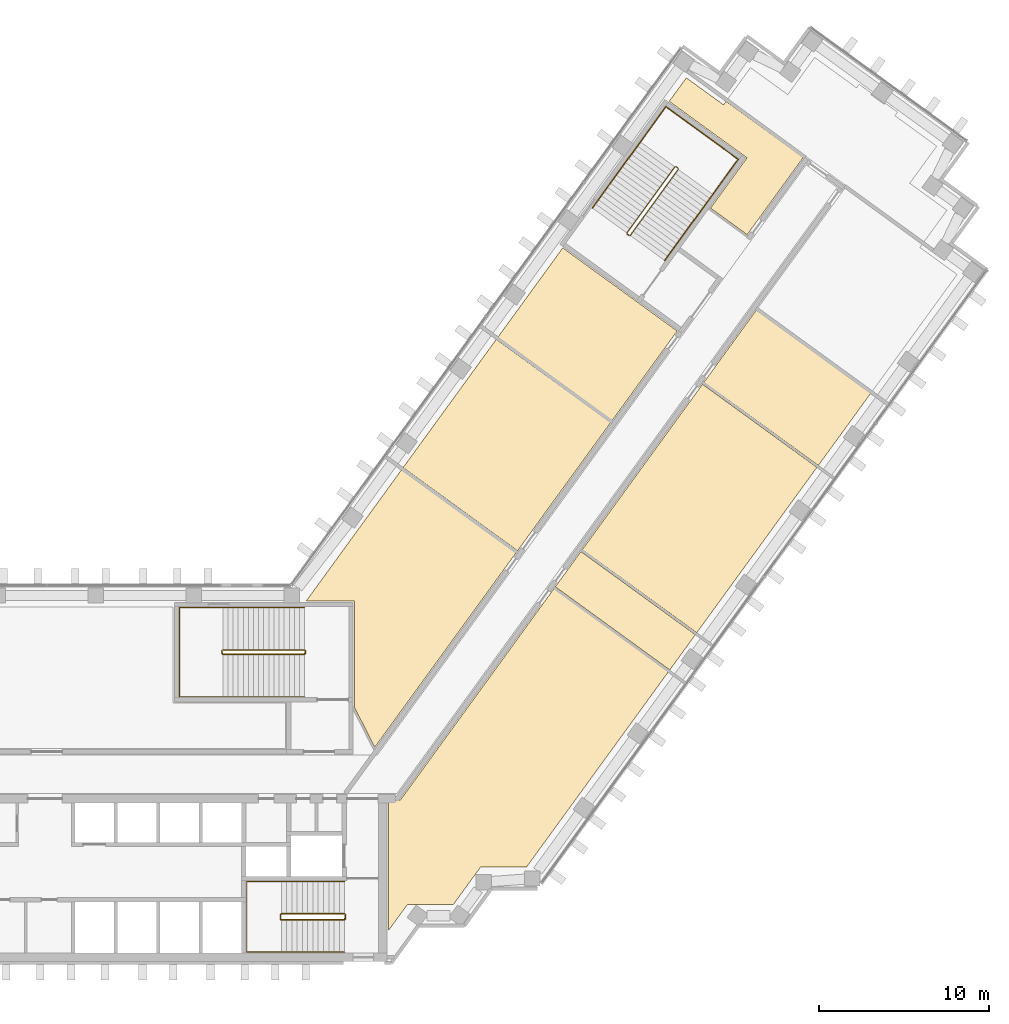
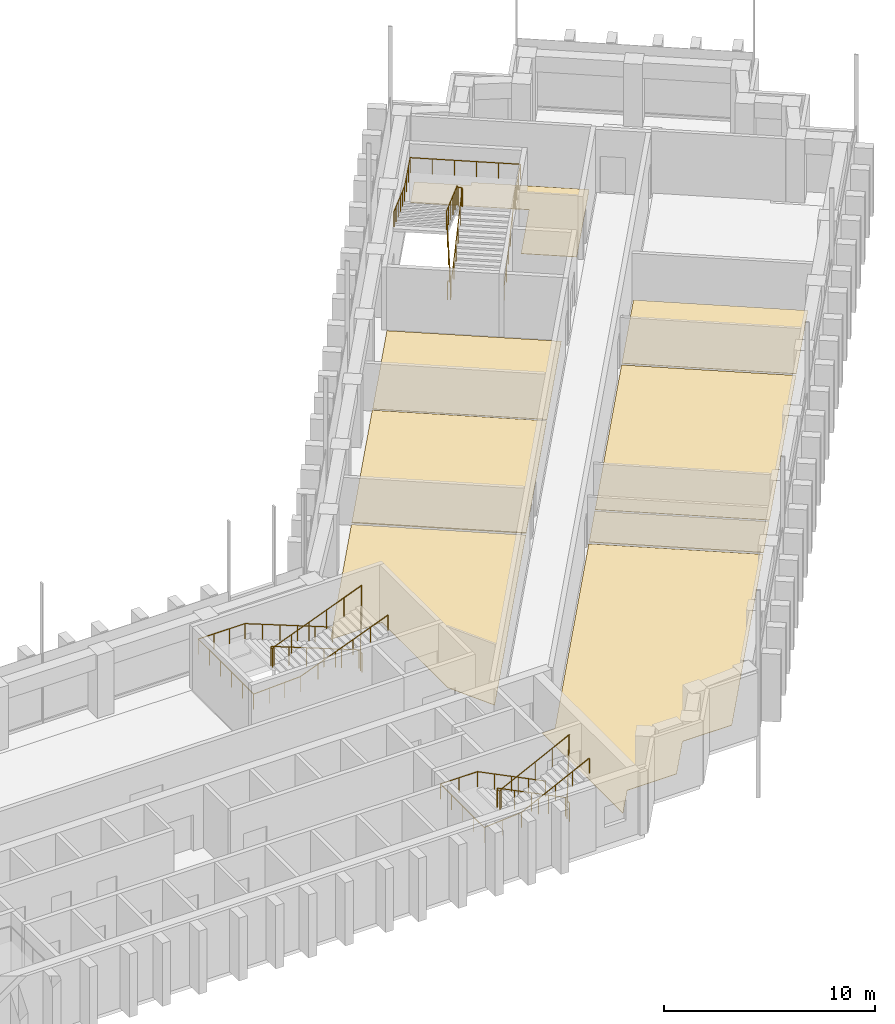
# One storey, part 18 of 19: 8 coverings, 6 railings.
"""IFC4 building model written with IfcOpenShell, lengths in metres."""

from ifc_helpers import new_model, si_unit, direction, frame, origin, origin_2d, place, context, subcontext, project, spatial, polyline, circle, outline, extrude, material, layer, layer_set, type_object, element, save


model = new_model("IFC4")

# Units and contexts
model_context = context("Model", 3, precision=1e-05, world=origin(), true_north=direction((0.0, 1.0)))
body_context = subcontext(model_context, "Body", "Model", "MODEL_VIEW")
ifc_project = project(units=[si_unit("LENGTHUNIT", "METRE"), si_unit("AREAUNIT", "SQUARE_METRE"), si_unit("VOLUMEUNIT", "CUBIC_METRE"), si_unit("PLANEANGLEUNIT", "RADIAN"), si_unit("MASSUNIT", "GRAM", prefix="KILO")], contexts=[model_context])

# Site, building, storey
site_placement = place(None, origin())
site = spatial("IfcSite", under=ifc_project, at=site_placement, CompositionType="ELEMENT")
building_placement = place(site_placement, origin())
building = spatial("IfcBuilding", under=site, at=building_placement, Name="Quipu Civic Tower", CompositionType="ELEMENT")
storey_placement = place(building_placement, frame((0.0, 0.0, 47.0)))
storey = spatial("IfcBuildingStorey", under=building, at=storey_placement, Name="L10", CompositionType="ELEMENT", Elevation=47.0)

# Coverings
ifc_material_1 = material(Name="Carpet tile on raised access floor")
ifc_layer_1 = layer(ifc_material_1, 0.02001953125)
ifc_layer_set_1 = layer_set([ifc_layer_1], Name="Carpet tile on raised access floor")
covering_type_1 = type_object("IfcCoveringType", Name="Carpet tile floor finish 20", PredefinedType="FLOORING", material=ifc_layer_set_1)
covering_1_placement = place(storey_placement, origin())
element("IfcCovering", 1, at=covering_1_placement, inside=storey, type_object=covering_type_1, Name="Carpet tile floor finish 20", PredefinedType="FLOORING", context=body_context, shape_type="SweptSolid", body=[
    extrude(outline(polyline([(15.238037109375, 10.169921875), (20.85498046875, 17.90087890625), (27.577880859375, 13.01708984375), (19.27197265625, 1.583984375), (18.070068359375, 3.94189453125), (18.070068359375, 10.1689453125), (15.238037109375, 10.169921875)])), origin(), (0.0, 0.0, 1.0), 0.02001953125),
])
covering_2_placement = place(storey_placement, origin())
element("IfcCovering", 2, at=covering_2_placement, inside=storey, type_object=covering_type_1, Name="Carpet tile floor finish 20", PredefinedType="FLOORING", context=body_context, shape_type="SweptSolid", body=[
    extrude(outline(polyline([(36.570068359375, 39.530029296875), (37.573974609375, 40.9130859375), (39.757080078125, 39.327880859375), (39.906005859375, 39.530029296875), (44.445068359375, 36.23193359375), (41.15087890625, 31.697021484375), (38.998046875, 33.260009765625), (41.139892578125, 36.208984375), (36.570068359375, 39.530029296875)])), origin(), (0.0, 0.0, 1.0), 0.02001953125),
])
covering_3_placement = place(storey_placement, origin())
element("IfcCovering", 3, at=covering_3_placement, inside=storey, type_object=covering_type_1, Name="Carpet tile floor finish 20", PredefinedType="FLOORING", context=body_context, shape_type="SweptSolid", body=[
    extrude(outline(polyline([(38.60791015625, 23.02490234375), (41.698974609375, 27.281005859375), (48.422119140625, 22.39697265625), (45.3310546875, 18.14111328125), (38.60791015625, 23.02490234375)])), origin(), (0.0, 0.0, 1.0), 0.02001953125),
])
covering_4_placement = place(storey_placement, origin())
element("IfcCovering", 4, at=covering_4_placement, inside=storey, type_object=covering_type_1, Name="Carpet tile floor finish 20", PredefinedType="FLOORING", context=body_context, shape_type="SweptSolid", body=[
    extrude(outline(polyline([(26.491943359375, 25.658935546875), (30.31494140625, 30.922119140625), (37.0380859375, 26.0380859375), (33.215087890625, 20.77490234375), (26.491943359375, 25.658935546875)])), origin(), (0.0, 0.0, 1.0), 0.02001953125),
])
covering_5_placement = place(storey_placement, origin())
element("IfcCovering", 5, at=covering_5_placement, inside=storey, type_object=covering_type_1, Name="Carpet tile floor finish 20", PredefinedType="FLOORING", context=body_context, shape_type="SweptSolid", body=[
    extrude(outline(polyline([(20.070068359375, -9.195068359375), (20.070068359375, -1.52001953125), (20.77490234375, -1.51904296875), (29.7958984375, 10.89794921875), (36.52001953125, 6.013916015625), (28.181884765625, -5.4609375), (25.48193359375, -5.4619140625), (25.2080078125, -5.840087890625), (25.205078125, -5.841064453125), (25.200927734375, -5.843017578125), (25.197021484375, -5.844970703125), (25.193115234375, -5.847900390625), (25.18896484375, -5.85205078125), (25.18603515625, -5.85498046875), (25.18310546875, -5.85888671875), (25.179931640625, -5.863037109375), (25.177978515625, -5.867919921875), (25.177001953125, -5.8720703125), (25.175048828125, -5.876953125), (25.175048828125, -5.882080078125), (25.174072265625, -5.885986328125), (23.89501953125, -7.64599609375), (21.721923828125, -7.64599609375), (21.721923828125, -7.64599609375), (21.718017578125, -7.64306640625), (21.712890625, -7.64111328125), (21.708984375, -7.638916015625), (21.7041015625, -7.637939453125), (21.698974609375, -7.636962890625), (21.694091796875, -7.635986328125), (21.68896484375, -7.636962890625), (21.68408203125, -7.636962890625), (21.679931640625, -7.637939453125), (21.675048828125, -7.639892578125), (21.669921875, -7.64111328125), (21.666015625, -7.64404296875), (21.6630859375, -7.64599609375), (21.196044921875, -7.64599609375), (20.070068359375, -9.195068359375)])), origin(), (0.0, 0.0, 1.0), 0.02001953125),
])
covering_6_placement = place(storey_placement, origin())
element("IfcCovering", 6, at=covering_6_placement, inside=storey, type_object=covering_type_1, Name="Carpet tile floor finish 20", PredefinedType="FLOORING", context=body_context, shape_type="SweptSolid", body=[
    extrude(outline(polyline([(31.466064453125, 13.195068359375), (38.52490234375, 22.912109375), (45.248046875, 18.028076171875), (38.18994140625, 8.31201171875), (31.466064453125, 13.195068359375)])), origin(), (0.0, 0.0, 1.0), 0.02001953125),
])
ifc_material_2 = material(Name="Ceramic floor tile")
ifc_layer_2 = layer(ifc_material_2, 0.030029296875)
ifc_layer_set_2 = layer_set([ifc_layer_2], Name="Ceramic floor tile")
covering_type_2 = type_object("IfcCoveringType", Name="Ceramic tile floor finish 30", PredefinedType="FLOORING", material=ifc_layer_set_2)
covering_7_placement = place(storey_placement, origin())
element("IfcCovering", 7, at=covering_7_placement, inside=storey, type_object=covering_type_2, Name="Ceramic tile floor finish 30", PredefinedType="FLOORING", context=body_context, shape_type="SweptSolid", body=[
    extrude(outline(polyline([(29.87890625, 11.010986328125), (31.383056640625, 13.08203125), (38.10693359375, 8.198974609375), (36.60302734375, 6.126953125), (29.87890625, 11.010986328125)])), origin(), (0.0, 0.0, 1.0), 0.030029296875),
])
ifc_material_3 = material(Name="Sealed cement screed")
ifc_layer_3 = layer(ifc_material_3, 0.050048828125)
ifc_layer_set_3 = layer_set([ifc_layer_3], Name="Sealed cement screed")
covering_type_3 = type_object("IfcCoveringType", Name="Sealed screed floor finish 50", PredefinedType="FLOORING", material=ifc_layer_set_3)
covering_8_placement = place(storey_placement, origin())
element("IfcCovering", 8, at=covering_8_placement, inside=storey, type_object=covering_type_3, Name="Sealed screed floor finish 50", PredefinedType="FLOORING", context=body_context, shape_type="SweptSolid", body=[
    extrude(outline(polyline([(20.93798828125, 18.013916015625), (26.408935546875, 25.5458984375), (33.132080078125, 20.662109375), (27.660888671875, 13.1298828125), (20.93798828125, 18.013916015625)])), origin(), (0.0, 0.0, 1.0), 0.050048828125),
])

# Railings
ifc_material_4 = material(Name="Stainless steel", Category="steel")
railing_type_1 = type_object("IfcRailingType", Name="Stair guard 1100", PredefinedType="GUARDRAIL", material=ifc_material_4)
railing_1_placement = place(storey_placement, frame((17.5, -8.199951171875, 0.15380859375)))
element("IfcRailing", 9, at=railing_1_placement, inside=storey, type_object=railing_type_1, Name="Stair 2 guard", PredefinedType="GUARDRAIL", context=body_context, shape_type="SweptSolid", body=[
    extrude(circle(Radius=0.02392578125, at=origin_2d()), frame((0.0, 0.0, 1.076171875), z_axis=(-0.895751851347, 0.0, 0.444554407028), x_axis=(0.0, -1.0, 0.0)), (0.0, 0.0, 1.0), 4.15283203125),
    extrude(circle(Radius=0.02392578125, at=origin_2d()), frame((-3.719970703125, 0.0, 2.92236328125), z_axis=(-0.707106781187, -0.707106781187, 0.0), x_axis=(0.707106781187, -0.707106781187, 0.0)), (0.0, 0.0, 1.0), 0.07080078125),
    extrude(circle(Radius=0.02392578125, at=origin_2d()), frame((-3.77001953125, -0.050048828125, 2.92236328125), z_axis=(0.0, -1.0, 0.0), x_axis=(1.0, 0.0, 0.0)), (0.0, 0.0, 1.0), 0.25),
    extrude(circle(Radius=0.02392578125, at=origin_2d()), frame((-3.77001953125, -0.300048828125, 2.92236328125), z_axis=(0.295599637079, -0.295599637079, 0.908428152975), x_axis=(0.707106781187, 0.707106781187, 0.0)), (0.0, 0.0, 1.0), 0.16943359375),
    extrude(circle(Radius=0.02392578125, at=origin_2d()), frame((-3.719970703125, -0.35009765625, 3.076171875), z_axis=(0.895751851347, 0.0, 0.444554407028), x_axis=(0.0, 1.0, 0.0)), (0.0, 0.0, 1.0), 4.15283203125),
    extrude(circle(Radius=0.02392578125, at=origin_2d()), frame((0.0, -0.35009765625, 4.92236328125), z_axis=(0.012476181752, 0.074796231092, -0.997120789425), x_axis=(-0.986372223864, 0.164529134168, 0.0)), (0.0, 0.0, 1.0), 4.011474609375),
    extrude(circle(Radius=0.02392578125, at=origin_2d()), frame((0.050048828125, -0.050048828125, 0.92236328125), z_axis=(0.0, -1.0, 0.0), x_axis=(1.0, 0.0, 0.0)), (0.0, 0.0, 1.0), 0.25),
    extrude(circle(Radius=0.02099609375, at=origin_2d()), origin(), (0.0, 0.0, 1.0), 1.052001953125),
    extrude(circle(Radius=0.02099609375, at=origin_2d()), frame((-0.929931640625, 0.0, 0.46142578125)), (0.0, 0.0, 1.0), 1.052001953125),
    extrude(circle(Radius=0.02099609375, at=origin_2d()), frame((-1.85986328125, 0.0, 0.923095703125)), (0.0, 0.0, 1.0), 1.052001953125),
    extrude(circle(Radius=0.02099609375, at=origin_2d()), frame((-2.7900390625, 0.0, 1.384765625)), (0.0, 0.0, 1.0), 1.052001953125),
    extrude(circle(Radius=0.02099609375, at=origin_2d()), frame((-3.719970703125, 0.0, 1.84619140625)), (0.0, 0.0, 1.0), 1.052001953125),
    extrude(circle(Radius=0.02099609375, at=origin_2d()), frame((-3.77001953125, -0.050048828125, 1.84619140625)), (0.0, 0.0, 1.0), 1.052001953125),
    extrude(circle(Radius=0.02099609375, at=origin_2d()), frame((-3.77001953125, -0.300048828125, 1.84619140625)), (0.0, 0.0, 1.0), 1.052001953125),
    extrude(circle(Radius=0.02099609375, at=origin_2d()), frame((-3.719970703125, -0.35009765625, 2.0)), (0.0, 0.0, 1.0), 1.052001953125),
    extrude(circle(Radius=0.02099609375, at=origin_2d()), frame((-2.7900390625, -0.35009765625, 2.46142578125)), (0.0, 0.0, 1.0), 1.052001953125),
    extrude(circle(Radius=0.02099609375, at=origin_2d()), frame((-1.85986328125, -0.35009765625, 2.923095703125)), (0.0, 0.0, 1.0), 1.052001953125),
    extrude(circle(Radius=0.02099609375, at=origin_2d()), frame((-0.929931640625, -0.35009765625, 3.384765625)), (0.0, 0.0, 1.0), 1.052001953125),
    extrude(circle(Radius=0.02099609375, at=origin_2d()), frame((0.0, -0.35009765625, 3.84619140625)), (0.0, 0.0, 1.0), 1.052001953125),
    extrude(circle(Radius=0.02099609375, at=origin_2d()), frame((0.012451171875, -0.275146484375, 2.84619140625)), (0.0, 0.0, 1.0), 1.052001953125),
    extrude(circle(Radius=0.02099609375, at=origin_2d()), frame((0.02490234375, -0.2001953125, 1.84619140625)), (0.0, 0.0, 1.0), 1.052001953125),
    extrude(circle(Radius=0.02099609375, at=origin_2d()), frame((0.03759765625, -0.125, 0.84619140625)), (0.0, 0.0, 1.0), 1.052001953125),
    extrude(circle(Radius=0.02099609375, at=origin_2d()), frame((0.050048828125, -0.050048828125, -0.15380859375)), (0.0, 0.0, 1.0), 1.052001953125),
    extrude(circle(Radius=0.02099609375, at=origin_2d()), frame((0.050048828125, -0.300048828125, -0.15380859375)), (0.0, 0.0, 1.0), 1.052001953125),
])
railing_2_placement = place(storey_placement, frame((15.14990234375, 7.300048828125, 0.11767578125)))
element("IfcRailing", 10, at=railing_2_placement, inside=storey, type_object=railing_type_1, Name="Stair 4 guard", PredefinedType="GUARDRAIL", context=body_context, shape_type="SweptSolid", body=[
    extrude(circle(Radius=0.02392578125, at=origin_2d()), frame((0.0, 0.0, 1.076171875), z_axis=(-0.930970042603, 0.0, 0.365095576219), x_axis=(0.0, -1.0, 0.0)), (0.0, 0.0, 1.0), 5.15576171875),
    extrude(circle(Radius=0.02392578125, at=origin_2d()), frame((-4.7998046875, 0.0, 2.95849609375), z_axis=(-0.707106781187, -0.707106781187, 0.0), x_axis=(0.707106781187, -0.707106781187, 0.0)), (0.0, 0.0, 1.0), 0.07080078125),
    extrude(circle(Radius=0.02392578125, at=origin_2d()), frame((-4.849853515625, -0.050048828125, 2.95849609375), z_axis=(0.0, -1.0, 0.0), x_axis=(1.0, 0.0, 0.0)), (0.0, 0.0, 1.0), 0.14990234375),
    extrude(circle(Radius=0.02392578125, at=origin_2d()), frame((-4.849853515625, -0.199951171875, 2.95849609375), z_axis=(0.364463019033, -0.364463019033, 0.856932561824), x_axis=(0.707106781187, 0.707106781187, 0.0)), (0.0, 0.0, 1.0), 0.13720703125),
    extrude(circle(Radius=0.02392578125, at=origin_2d()), frame((-4.7998046875, -0.25, 3.076171875), z_axis=(0.930970042603, 0.0, 0.365095576219), x_axis=(0.0, 1.0, 0.0)), (0.0, 0.0, 1.0), 5.15576171875),
    extrude(circle(Radius=0.02392578125, at=origin_2d()), frame((0.0, -0.25, 4.95849609375), z_axis=(0.012495627992, 0.049921557685, -0.998674970829), x_axis=(-0.970072785993, 0.242814311512, 0.0)), (0.0, 0.0, 1.0), 4.00537109375),
    extrude(circle(Radius=0.02392578125, at=origin_2d()), frame((0.050048828125, -0.050048828125, 0.95849609375), z_axis=(0.0, -1.0, 0.0), x_axis=(1.0, 0.0, 0.0)), (0.0, 0.0, 1.0), 0.14990234375),
    extrude(circle(Radius=0.02099609375, at=origin_2d()), origin(), (0.0, 0.0, 1.0), 1.052001953125),
    extrude(circle(Radius=0.02099609375, at=origin_2d()), frame((-0.9599609375, 0.0, 0.37646484375)), (0.0, 0.0, 1.0), 1.052001953125),
    extrude(circle(Radius=0.02099609375, at=origin_2d()), frame((-1.919921875, 0.0, 0.7529296875)), (0.0, 0.0, 1.0), 1.052001953125),
    extrude(circle(Radius=0.02099609375, at=origin_2d()), frame((-2.8798828125, 0.0, 1.12939453125)), (0.0, 0.0, 1.0), 1.052001953125),
    extrude(circle(Radius=0.02099609375, at=origin_2d()), frame((-3.83984375, 0.0, 1.505859375)), (0.0, 0.0, 1.0), 1.052001953125),
    extrude(circle(Radius=0.02099609375, at=origin_2d()), frame((-4.7998046875, 0.0, 1.88232421875)), (0.0, 0.0, 1.0), 1.052001953125),
    extrude(circle(Radius=0.02099609375, at=origin_2d()), frame((-4.849853515625, -0.050048828125, 1.88232421875)), (0.0, 0.0, 1.0), 1.052001953125),
    extrude(circle(Radius=0.02099609375, at=origin_2d()), frame((-4.849853515625, -0.199951171875, 1.88232421875)), (0.0, 0.0, 1.0), 1.052001953125),
    extrude(circle(Radius=0.02099609375, at=origin_2d()), frame((-4.7998046875, -0.25, 2.0)), (0.0, 0.0, 1.0), 1.052001953125),
    extrude(circle(Radius=0.02099609375, at=origin_2d()), frame((-3.83984375, -0.25, 2.37646484375)), (0.0, 0.0, 1.0), 1.052001953125),
    extrude(circle(Radius=0.02099609375, at=origin_2d()), frame((-2.8798828125, -0.25, 2.7529296875)), (0.0, 0.0, 1.0), 1.052001953125),
    extrude(circle(Radius=0.02099609375, at=origin_2d()), frame((-1.919921875, -0.25, 3.12939453125)), (0.0, 0.0, 1.0), 1.052001953125),
    extrude(circle(Radius=0.02099609375, at=origin_2d()), frame((-0.9599609375, -0.25, 3.505859375)), (0.0, 0.0, 1.0), 1.052001953125),
    extrude(circle(Radius=0.02099609375, at=origin_2d()), frame((0.0, -0.25, 3.88232421875)), (0.0, 0.0, 1.0), 1.052001953125),
    extrude(circle(Radius=0.02099609375, at=origin_2d()), frame((0.012451171875, -0.199951171875, 2.88232421875)), (0.0, 0.0, 1.0), 1.052001953125),
    extrude(circle(Radius=0.02099609375, at=origin_2d()), frame((0.02490234375, -0.14990234375, 1.88232421875)), (0.0, 0.0, 1.0), 1.052001953125),
    extrude(circle(Radius=0.02099609375, at=origin_2d()), frame((0.03759765625, -0.10009765625, 0.88232421875)), (0.0, 0.0, 1.0), 1.052001953125),
    extrude(circle(Radius=0.02099609375, at=origin_2d()), frame((0.050048828125, -0.050048828125, -0.11767578125)), (0.0, 0.0, 1.0), 1.052001953125),
    extrude(circle(Radius=0.02099609375, at=origin_2d()), frame((0.050048828125, -0.199951171875, -0.11767578125)), (0.0, 0.0, 1.0), 1.052001953125),
])
railing_3_placement = place(storey_placement, frame((34.28125, 31.650390625, 0.11767578125)))
element("IfcRailing", 11, at=railing_3_placement, inside=storey, type_object=railing_type_1, Name="Stair 7 guard", PredefinedType="GUARDRAIL", context=body_context, shape_type="SweptSolid", body=[
    extrude(circle(Radius=0.02392578125, at=origin_2d()), frame((0.0, 0.0, 1.076171875), z_axis=(0.54720100349, 0.753182689643, 0.365084781664), x_axis=(-0.809026317077, 0.587772420479, 0.0)), (0.0, 0.0, 1.0), 5.15576171875),
    extrude(circle(Radius=0.02392578125, at=origin_2d()), frame((2.8212890625, 3.88330078125, 2.95849609375), z_axis=(-0.155430446612, 0.987846838465, 0.0), x_axis=(-0.987846838465, -0.155430446612, 0.0)), (0.0, 0.0, 1.0), 0.07080078125),
    extrude(circle(Radius=0.02392578125, at=origin_2d()), frame((2.810302734375, 3.953125, 2.95849609375), z_axis=(-0.809649071907, 0.586914287065, 0.0), x_axis=(-0.586914287065, -0.809649071907, 0.0)), (0.0, 0.0, 1.0), 0.150146484375),
    extrude(circle(Radius=0.02392578125, at=origin_2d()), frame((2.688720703125, 4.041259765625, 2.95849609375), z_axis=(-0.508654480474, -0.080033047627, 0.857242865693), x_axis=(0.155430446612, -0.987846838465, 0.0)), (0.0, 0.0, 1.0), 0.13720703125),
    extrude(circle(Radius=0.02392578125, at=origin_2d()), frame((2.618896484375, 4.0302734375, 3.076171875), z_axis=(-0.54720100349, -0.753182689643, 0.365084781664), x_axis=(0.809026317077, -0.587772420479, 0.0)), (0.0, 0.0, 1.0), 5.15576171875),
    extrude(circle(Radius=0.02392578125, at=origin_2d()), frame((-0.202392578125, 0.14697265625, 4.95849609375), z_axis=(0.033037246672, -0.039437451286, -0.998675737048), x_axis=(0.766567769536, 0.642163417448, 0.0)), (0.0, 0.0, 1.0), 4.00537109375),
    extrude(circle(Radius=0.02392578125, at=origin_2d()), frame((-0.070068359375, -0.010986328125, 0.95849609375), z_axis=(-0.809087927272, 0.587687609145, 0.0), x_axis=(-0.587687609145, -0.809087927272, 0.0)), (0.0, 0.0, 1.0), 0.14990234375),
    extrude(circle(Radius=0.02099609375, at=origin_2d()), origin(), (0.0, 0.0, 1.0), 1.052001953125),
    extrude(circle(Radius=0.02099609375, at=origin_2d()), frame((0.564208984375, 0.776611328125, 0.37646484375)), (0.0, 0.0, 1.0), 1.052001953125),
    extrude(circle(Radius=0.02099609375, at=origin_2d()), frame((1.12841796875, 1.55322265625, 0.7529296875)), (0.0, 0.0, 1.0), 1.052001953125),
    extrude(circle(Radius=0.02099609375, at=origin_2d()), frame((1.69287109375, 2.330078125, 1.12939453125)), (0.0, 0.0, 1.0), 1.052001953125),
    extrude(circle(Radius=0.02099609375, at=origin_2d()), frame((2.257080078125, 3.106689453125, 1.505859375)), (0.0, 0.0, 1.0), 1.052001953125),
    extrude(circle(Radius=0.02099609375, at=origin_2d()), frame((2.8212890625, 3.88330078125, 1.88232421875)), (0.0, 0.0, 1.0), 1.052001953125),
    extrude(circle(Radius=0.02099609375, at=origin_2d()), frame((2.810302734375, 3.953125, 1.88232421875)), (0.0, 0.0, 1.0), 1.052001953125),
    extrude(circle(Radius=0.02099609375, at=origin_2d()), frame((2.688720703125, 4.041259765625, 1.88232421875)), (0.0, 0.0, 1.0), 1.052001953125),
    extrude(circle(Radius=0.02099609375, at=origin_2d()), frame((2.618896484375, 4.0302734375, 2.0)), (0.0, 0.0, 1.0), 1.052001953125),
    extrude(circle(Radius=0.02099609375, at=origin_2d()), frame((2.0546875, 3.253662109375, 2.37646484375)), (0.0, 0.0, 1.0), 1.052001953125),
    extrude(circle(Radius=0.02099609375, at=origin_2d()), frame((1.490478515625, 2.47705078125, 2.7529296875)), (0.0, 0.0, 1.0), 1.052001953125),
    extrude(circle(Radius=0.02099609375, at=origin_2d()), frame((0.926025390625, 1.7001953125, 3.12939453125)), (0.0, 0.0, 1.0), 1.052001953125),
    extrude(circle(Radius=0.02099609375, at=origin_2d()), frame((0.36181640625, 0.923583984375, 3.505859375)), (0.0, 0.0, 1.0), 1.052001953125),
    extrude(circle(Radius=0.02099609375, at=origin_2d()), frame((-0.202392578125, 0.14697265625, 3.88232421875)), (0.0, 0.0, 1.0), 1.052001953125),
    extrude(circle(Radius=0.02099609375, at=origin_2d()), frame((-0.16943359375, 0.107421875, 2.88232421875)), (0.0, 0.0, 1.0), 1.052001953125),
    extrude(circle(Radius=0.02099609375, at=origin_2d()), frame((-0.13623046875, 0.06787109375, 1.88232421875)), (0.0, 0.0, 1.0), 1.052001953125),
    extrude(circle(Radius=0.02099609375, at=origin_2d()), frame((-0.10302734375, 0.028564453125, 0.88232421875)), (0.0, 0.0, 1.0), 1.052001953125),
    extrude(circle(Radius=0.02099609375, at=origin_2d()), frame((-0.070068359375, -0.010986328125, -0.11767578125)), (0.0, 0.0, 1.0), 1.052001953125),
    extrude(circle(Radius=0.02099609375, at=origin_2d()), frame((-0.19140625, 0.0771484375, -0.11767578125)), (0.0, 0.0, 1.0), 1.052001953125),
])
ifc_material_5 = material(Name="Stainless steel", Category="steel")
railing_type_2 = type_object("IfcRailingType", Name="Stair handrail", PredefinedType="HANDRAIL", material=ifc_material_5)
railing_4_placement = place(storey_placement, frame((17.5, -6.300048828125, 0.15380859375)))
element("IfcRailing", 12, at=railing_4_placement, inside=storey, type_object=railing_type_2, Name="Stair 2 handrail", PredefinedType="HANDRAIL", context=body_context, shape_type="SweptSolid", body=[
    extrude(circle(Radius=0.02392578125, at=origin_2d()), frame((0.0, 0.0, 0.8759765625), z_axis=(-0.895751851347, 0.0, 0.444554407028), x_axis=(0.0, -1.0, 0.0)), (0.0, 0.0, 1.0), 4.15283203125),
    extrude(circle(Radius=0.02392578125, at=origin_2d()), frame((-3.719970703125, 0.0, 2.72216796875), z_axis=(-1.0, 0.0, 0.0), x_axis=(0.0, -1.0, 0.0)), (0.0, 0.0, 1.0), 2.030029296875),
    extrude(circle(Radius=0.02392578125, at=origin_2d()), frame((-5.75, 0.0, 2.72216796875), z_axis=(0.0, -1.0, 0.0), x_axis=(1.0, 0.0, 0.0)), (0.0, 0.0, 1.0), 4.14990234375),
    extrude(circle(Radius=0.02392578125, at=origin_2d()), frame((-5.75, -4.14990234375, 2.72216796875), z_axis=(0.997142003663, 0.0, 0.075550145798), x_axis=(0.0, 1.0, 0.0)), (0.0, 0.0, 1.0), 2.035888671875),
    extrude(circle(Radius=0.02392578125, at=origin_2d()), frame((-3.719970703125, -4.14990234375, 2.8759765625), z_axis=(0.895751851347, 0.0, 0.444554407028), x_axis=(0.0, 1.0, 0.0)), (0.0, 0.0, 1.0), 4.15283203125),
    extrude(circle(Radius=0.02099609375, at=origin_2d()), origin(), (0.0, 0.0, 1.0), 0.851806640625),
    extrude(circle(Radius=0.02099609375, at=origin_2d()), frame((-0.929931640625, 0.0, 0.46142578125)), (0.0, 0.0, 1.0), 0.851806640625),
    extrude(circle(Radius=0.02099609375, at=origin_2d()), frame((-1.85986328125, 0.0, 0.923095703125)), (0.0, 0.0, 1.0), 0.851806640625),
    extrude(circle(Radius=0.02099609375, at=origin_2d()), frame((-2.7900390625, 0.0, 1.384765625)), (0.0, 0.0, 1.0), 0.851806640625),
    extrude(circle(Radius=0.02099609375, at=origin_2d()), frame((-3.719970703125, 0.0, 1.84619140625)), (0.0, 0.0, 1.0), 0.851806640625),
    extrude(circle(Radius=0.02099609375, at=origin_2d()), frame((-4.73486328125, 0.0, 1.84619140625)), (0.0, 0.0, 1.0), 0.851806640625),
    extrude(circle(Radius=0.02099609375, at=origin_2d()), frame((-5.75, 0.0, 1.84619140625)), (0.0, 0.0, 1.0), 0.851806640625),
    extrude(circle(Radius=0.02099609375, at=origin_2d()), frame((-5.75, -1.03759765625, 1.84619140625)), (0.0, 0.0, 1.0), 0.851806640625),
    extrude(circle(Radius=0.02099609375, at=origin_2d()), frame((-5.75, -2.074951171875, 1.84619140625)), (0.0, 0.0, 1.0), 0.851806640625),
    extrude(circle(Radius=0.02099609375, at=origin_2d()), frame((-5.75, -3.1123046875, 1.84619140625)), (0.0, 0.0, 1.0), 0.851806640625),
    extrude(circle(Radius=0.02099609375, at=origin_2d()), frame((-5.75, -4.14990234375, 1.84619140625)), (0.0, 0.0, 1.0), 0.851806640625),
    extrude(circle(Radius=0.02099609375, at=origin_2d()), frame((-4.73486328125, -4.14990234375, 1.923095703125)), (0.0, 0.0, 1.0), 0.851806640625),
    extrude(circle(Radius=0.02099609375, at=origin_2d()), frame((-3.719970703125, -4.14990234375, 2.0)), (0.0, 0.0, 1.0), 0.851806640625),
    extrude(circle(Radius=0.02099609375, at=origin_2d()), frame((-2.7900390625, -4.14990234375, 2.46142578125)), (0.0, 0.0, 1.0), 0.851806640625),
    extrude(circle(Radius=0.02099609375, at=origin_2d()), frame((-1.85986328125, -4.14990234375, 2.923095703125)), (0.0, 0.0, 1.0), 0.851806640625),
    extrude(circle(Radius=0.02099609375, at=origin_2d()), frame((-0.929931640625, -4.14990234375, 3.384765625)), (0.0, 0.0, 1.0), 0.851806640625),
    extrude(circle(Radius=0.02099609375, at=origin_2d()), frame((0.0, -4.14990234375, 3.84619140625)), (0.0, 0.0, 1.0), 0.851806640625),
])
railing_5_placement = place(storey_placement, frame((15.14990234375, 9.800048828125, 0.11767578125)))
element("IfcRailing", 13, at=railing_5_placement, inside=storey, type_object=railing_type_2, Name="Stair 4 handrail", PredefinedType="HANDRAIL", context=body_context, shape_type="SweptSolid", body=[
    extrude(circle(Radius=0.02392578125, at=origin_2d()), frame((0.0, 0.0, 0.8759765625), z_axis=(-0.930970042603, 0.0, 0.365095576219), x_axis=(0.0, -1.0, 0.0)), (0.0, 0.0, 1.0), 5.15576171875),
    extrude(circle(Radius=0.02392578125, at=origin_2d()), frame((-4.7998046875, 0.0, 2.75830078125), z_axis=(-1.0, 0.0, 0.0), x_axis=(0.0, -1.0, 0.0)), (0.0, 0.0, 1.0), 2.550048828125),
    extrude(circle(Radius=0.02392578125, at=origin_2d()), frame((-7.349853515625, 0.0, 2.75830078125), z_axis=(0.0, -1.0, 0.0), x_axis=(1.0, 0.0, 0.0)), (0.0, 0.0, 1.0), 5.25),
    extrude(circle(Radius=0.02392578125, at=origin_2d()), frame((-7.349853515625, -5.25, 2.75830078125), z_axis=(0.998936948642, 0.0, 0.04609742549), x_axis=(0.0, 1.0, 0.0)), (0.0, 0.0, 1.0), 2.552734375),
    extrude(circle(Radius=0.02392578125, at=origin_2d()), frame((-4.7998046875, -5.25, 2.8759765625), z_axis=(0.930970042603, 0.0, 0.365095576219), x_axis=(0.0, 1.0, 0.0)), (0.0, 0.0, 1.0), 5.15576171875),
    extrude(circle(Radius=0.02099609375, at=origin_2d()), origin(), (0.0, 0.0, 1.0), 0.851806640625),
    extrude(circle(Radius=0.02099609375, at=origin_2d()), frame((-0.9599609375, 0.0, 0.37646484375)), (0.0, 0.0, 1.0), 0.851806640625),
    extrude(circle(Radius=0.02099609375, at=origin_2d()), frame((-1.919921875, 0.0, 0.7529296875)), (0.0, 0.0, 1.0), 0.851806640625),
    extrude(circle(Radius=0.02099609375, at=origin_2d()), frame((-2.8798828125, 0.0, 1.12939453125)), (0.0, 0.0, 1.0), 0.851806640625),
    extrude(circle(Radius=0.02099609375, at=origin_2d()), frame((-3.83984375, 0.0, 1.505859375)), (0.0, 0.0, 1.0), 0.851806640625),
    extrude(circle(Radius=0.02099609375, at=origin_2d()), frame((-4.7998046875, 0.0, 1.88232421875)), (0.0, 0.0, 1.0), 0.851806640625),
    extrude(circle(Radius=0.02099609375, at=origin_2d()), frame((-5.64990234375, 0.0, 1.88232421875)), (0.0, 0.0, 1.0), 0.851806640625),
    extrude(circle(Radius=0.02099609375, at=origin_2d()), frame((-6.499755859375, 0.0, 1.88232421875)), (0.0, 0.0, 1.0), 0.851806640625),
    extrude(circle(Radius=0.02099609375, at=origin_2d()), frame((-7.349853515625, 0.0, 1.88232421875)), (0.0, 0.0, 1.0), 0.851806640625),
    extrude(circle(Radius=0.02099609375, at=origin_2d()), frame((-7.349853515625, -1.050048828125, 1.88232421875)), (0.0, 0.0, 1.0), 0.851806640625),
    extrude(circle(Radius=0.02099609375, at=origin_2d()), frame((-7.349853515625, -2.10009765625, 1.88232421875)), (0.0, 0.0, 1.0), 0.851806640625),
    extrude(circle(Radius=0.02099609375, at=origin_2d()), frame((-7.349853515625, -3.14990234375, 1.88232421875)), (0.0, 0.0, 1.0), 0.851806640625),
    extrude(circle(Radius=0.02099609375, at=origin_2d()), frame((-7.349853515625, -4.199951171875, 1.88232421875)), (0.0, 0.0, 1.0), 0.851806640625),
    extrude(circle(Radius=0.02099609375, at=origin_2d()), frame((-7.349853515625, -5.25, 1.88232421875)), (0.0, 0.0, 1.0), 0.851806640625),
    extrude(circle(Radius=0.02099609375, at=origin_2d()), frame((-6.499755859375, -5.25, 1.921630859375)), (0.0, 0.0, 1.0), 0.851806640625),
    extrude(circle(Radius=0.02099609375, at=origin_2d()), frame((-5.64990234375, -5.25, 1.960693359375)), (0.0, 0.0, 1.0), 0.851806640625),
    extrude(circle(Radius=0.02099609375, at=origin_2d()), frame((-4.7998046875, -5.25, 2.0)), (0.0, 0.0, 1.0), 0.851806640625),
    extrude(circle(Radius=0.02099609375, at=origin_2d()), frame((-3.83984375, -5.25, 2.37646484375)), (0.0, 0.0, 1.0), 0.851806640625),
    extrude(circle(Radius=0.02099609375, at=origin_2d()), frame((-2.8798828125, -5.25, 2.7529296875)), (0.0, 0.0, 1.0), 0.851806640625),
    extrude(circle(Radius=0.02099609375, at=origin_2d()), frame((-1.919921875, -5.25, 3.12939453125)), (0.0, 0.0, 1.0), 0.851806640625),
    extrude(circle(Radius=0.02099609375, at=origin_2d()), frame((-0.9599609375, -5.25, 3.505859375)), (0.0, 0.0, 1.0), 0.851806640625),
    extrude(circle(Radius=0.02099609375, at=origin_2d()), frame((0.0, -5.25, 3.88232421875)), (0.0, 0.0, 1.0), 0.851806640625),
])
railing_6_placement = place(storey_placement, frame((36.3037109375, 30.180908203125, 0.11767578125)))
element("IfcRailing", 14, at=railing_6_placement, inside=storey, type_object=railing_type_2, Name="Stair 7 handrail", PredefinedType="HANDRAIL", context=body_context, shape_type="SweptSolid", body=[
    extrude(circle(Radius=0.02392578125, at=origin_2d()), frame((0.0, 0.0, 0.8759765625), z_axis=(0.54720100349, 0.753182689643, 0.365084781664), x_axis=(-0.809026317077, 0.587772420479, 0.0)), (0.0, 0.0, 1.0), 5.15576171875),
    extrude(circle(Radius=0.02392578125, at=origin_2d()), frame((2.8212890625, 3.88330078125, 2.75830078125), z_axis=(0.587767432704, 0.809029940764, 0.0), x_axis=(-0.809029940764, 0.587767432704, 0.0)), (0.0, 0.0, 1.0), 2.550048828125),
    extrude(circle(Radius=0.02392578125, at=origin_2d()), frame((4.320068359375, 5.9462890625, 2.75830078125), z_axis=(-0.809009483706, 0.587795589702, 0.0), x_axis=(-0.587795589702, -0.809009483706, 0.0)), (0.0, 0.0, 1.0), 5.25),
    extrude(circle(Radius=0.02392578125, at=origin_2d()), frame((0.07275390625, 9.0322265625, 2.75830078125), z_axis=(-0.587142558822, -0.808169835812, 0.046099155132), x_axis=(0.809029940764, -0.587767432704, 0.0)), (0.0, 0.0, 1.0), 2.552734375),
    extrude(circle(Radius=0.02392578125, at=origin_2d()), frame((-1.426025390625, 6.96923828125, 2.8759765625), z_axis=(-0.54720100349, -0.753182689643, 0.365084781664), x_axis=(0.809026317077, -0.587772420479, 0.0)), (0.0, 0.0, 1.0), 5.15576171875),
    extrude(circle(Radius=0.02099609375, at=origin_2d()), origin(), (0.0, 0.0, 1.0), 0.851806640625),
    extrude(circle(Radius=0.02099609375, at=origin_2d()), frame((0.564208984375, 0.776611328125, 0.37646484375)), (0.0, 0.0, 1.0), 0.851806640625),
    extrude(circle(Radius=0.02099609375, at=origin_2d()), frame((1.12841796875, 1.55322265625, 0.7529296875)), (0.0, 0.0, 1.0), 0.851806640625),
    extrude(circle(Radius=0.02099609375, at=origin_2d()), frame((1.69287109375, 2.330078125, 1.12939453125)), (0.0, 0.0, 1.0), 0.851806640625),
    extrude(circle(Radius=0.02099609375, at=origin_2d()), frame((2.257080078125, 3.106689453125, 1.505859375)), (0.0, 0.0, 1.0), 0.851806640625),
    extrude(circle(Radius=0.02099609375, at=origin_2d()), frame((2.8212890625, 3.88330078125, 1.88232421875)), (0.0, 0.0, 1.0), 0.851806640625),
    extrude(circle(Radius=0.02099609375, at=origin_2d()), frame((3.32080078125, 4.571044921875, 1.88232421875)), (0.0, 0.0, 1.0), 0.851806640625),
    extrude(circle(Radius=0.02099609375, at=origin_2d()), frame((3.820556640625, 5.258544921875, 1.88232421875)), (0.0, 0.0, 1.0), 0.851806640625),
    extrude(circle(Radius=0.02099609375, at=origin_2d()), frame((4.320068359375, 5.9462890625, 1.88232421875)), (0.0, 0.0, 1.0), 0.851806640625),
    extrude(circle(Radius=0.02099609375, at=origin_2d()), frame((3.470703125, 6.5634765625, 1.88232421875)), (0.0, 0.0, 1.0), 0.851806640625),
    extrude(circle(Radius=0.02099609375, at=origin_2d()), frame((2.62109375, 7.1806640625, 1.88232421875)), (0.0, 0.0, 1.0), 0.851806640625),
    extrude(circle(Radius=0.02099609375, at=origin_2d()), frame((1.771728515625, 7.7978515625, 1.88232421875)), (0.0, 0.0, 1.0), 0.851806640625),
    extrude(circle(Radius=0.02099609375, at=origin_2d()), frame((0.922119140625, 8.4150390625, 1.88232421875)), (0.0, 0.0, 1.0), 0.851806640625),
    extrude(circle(Radius=0.02099609375, at=origin_2d()), frame((0.07275390625, 9.0322265625, 1.88232421875)), (0.0, 0.0, 1.0), 0.851806640625),
    extrude(circle(Radius=0.02099609375, at=origin_2d()), frame((-0.4267578125, 8.344482421875, 1.921630859375)), (0.0, 0.0, 1.0), 0.851806640625),
    extrude(circle(Radius=0.02099609375, at=origin_2d()), frame((-0.926513671875, 7.656982421875, 1.960693359375)), (0.0, 0.0, 1.0), 0.851806640625),
    extrude(circle(Radius=0.02099609375, at=origin_2d()), frame((-1.426025390625, 6.96923828125, 2.0)), (0.0, 0.0, 1.0), 0.851806640625),
    extrude(circle(Radius=0.02099609375, at=origin_2d()), frame((-1.990234375, 6.192626953125, 2.37646484375)), (0.0, 0.0, 1.0), 0.851806640625),
    extrude(circle(Radius=0.02099609375, at=origin_2d()), frame((-2.554443359375, 5.416015625, 2.7529296875)), (0.0, 0.0, 1.0), 0.851806640625),
    extrude(circle(Radius=0.02099609375, at=origin_2d()), frame((-3.118896484375, 4.63916015625, 3.12939453125)), (0.0, 0.0, 1.0), 0.851806640625),
    extrude(circle(Radius=0.02099609375, at=origin_2d()), frame((-3.68310546875, 3.862548828125, 3.505859375)), (0.0, 0.0, 1.0), 0.851806640625),
    extrude(circle(Radius=0.02099609375, at=origin_2d()), frame((-4.247314453125, 3.0859375, 3.88232421875)), (0.0, 0.0, 1.0), 0.851806640625),
])

save(model, "model.ifc")
